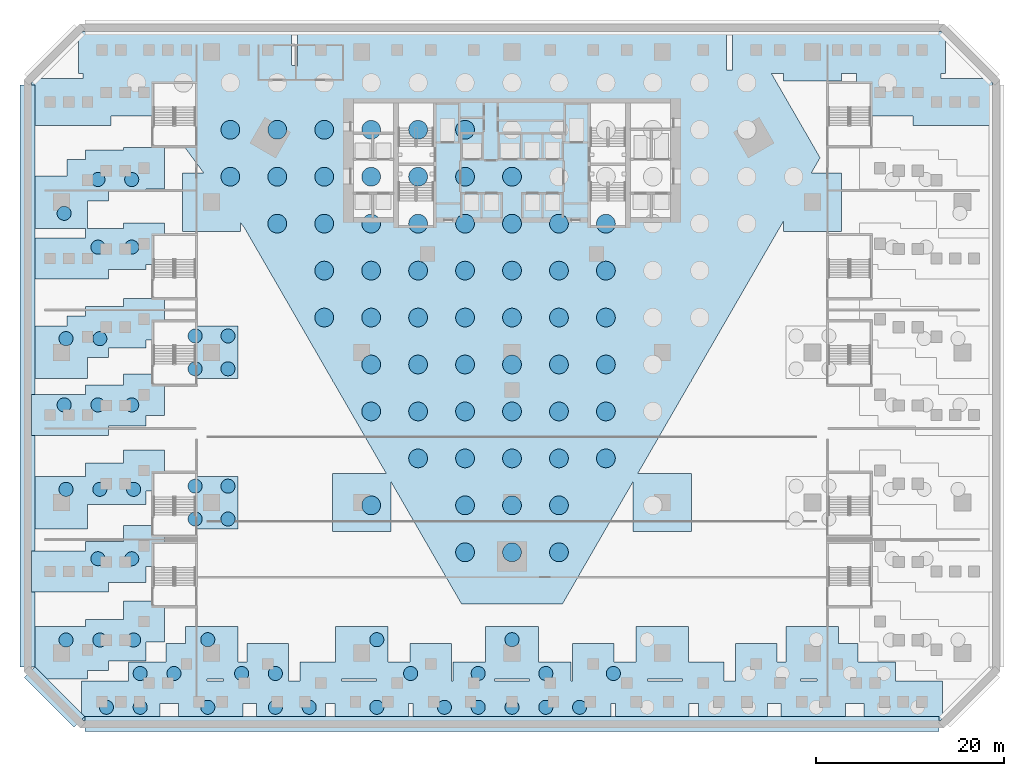
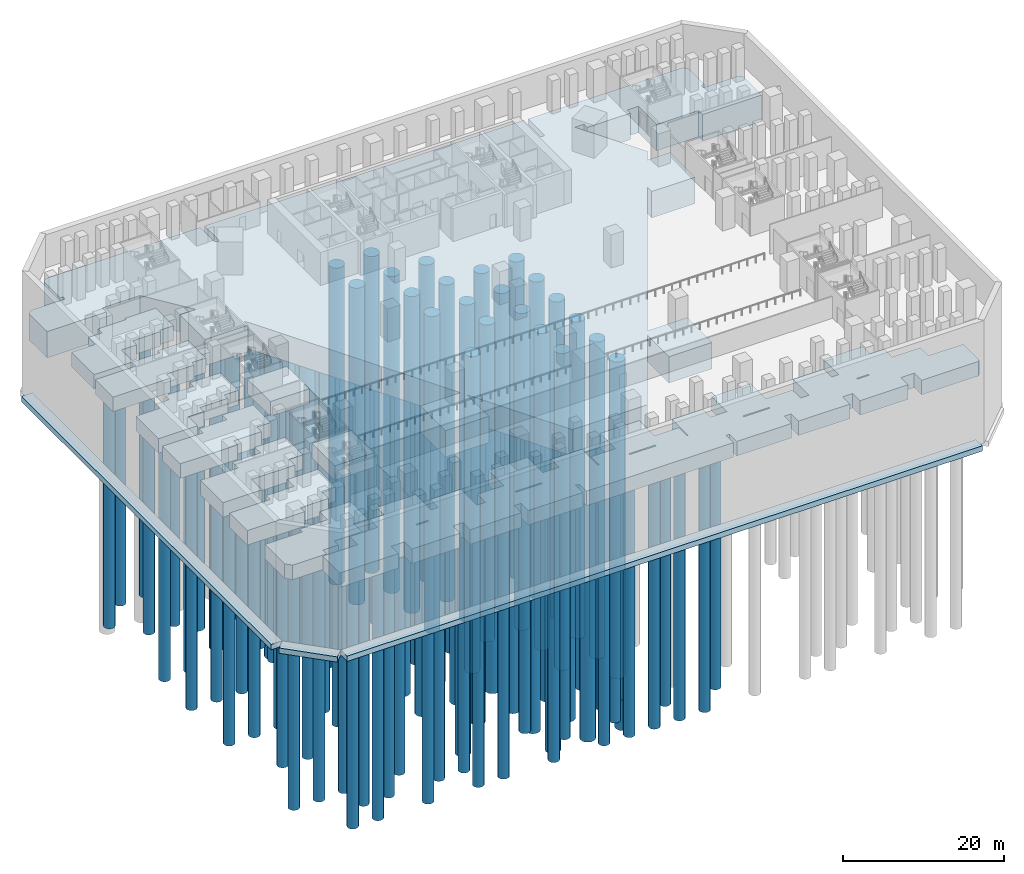
# One storey, part 1 of 27: 107 piles, 13 footings.
"""IFC4 building model written with IfcOpenShell, lengths in metres."""

from ifc_helpers import new_model, si_unit, direction, frame, frame_2d, origin, origin_2d, place, context, subcontext, project, spatial, polyline, rectangle, circle, outline, extrude, material, layer, layer_set, material_profile, profile_set, type_object, element, save


model = new_model("IFC4")

# Units and contexts
model_context = context("Model", 3, precision=1e-05, world=origin(), true_north=direction((0.0, 1.0)))
body_context = subcontext(model_context, "Body", "Model", "MODEL_VIEW")
ifc_project = project(units=[si_unit("LENGTHUNIT", "METRE"), si_unit("AREAUNIT", "SQUARE_METRE"), si_unit("VOLUMEUNIT", "CUBIC_METRE"), si_unit("PLANEANGLEUNIT", "RADIAN"), si_unit("MASSUNIT", "GRAM", prefix="KILO")], contexts=[model_context])

# Site, building, storey
site_placement = place(None, origin())
site = spatial("IfcSite", under=ifc_project, at=site_placement, CompositionType="ELEMENT")
building_placement = place(site_placement, origin())
building = spatial("IfcBuilding", under=site, at=building_placement, Name="Calabash Gate Tower", CompositionType="ELEMENT")
storey_placement = place(building_placement, frame((0.0, 0.0, -10.0)))
storey = spatial("IfcBuildingStorey", under=building, at=storey_placement, Name="B2", CompositionType="ELEMENT", Elevation=-10.0)

# Piles
ifc_material_1 = material(Name="Concrete C40/50", Category="concrete")
ifc_material_profile_1 = material_profile(ifc_material_1, circle(Radius=0.75, at=origin_2d()))
ifc_profile_set_1 = profile_set([ifc_material_profile_1], Name="Concrete C40/50")
pile_type_1 = type_object("IfcPileType", Name="Bored pile 1500 Concrete C40/50", PredefinedType="BORED", material=ifc_profile_set_1)
for number, where, z_axis, x_axis, name in (
    (1, (-44.10009765625, -29.9775390625, -3.64990234375), (0.0, 0.0, -1.0), (1.0, 0.0, 0.0), "Pile E09-6-1"),
    (2, (-40.5, -29.9775390625, -3.64990234375), (0.0, 0.0, -1.0), (1.0, 0.0, 0.0), "Pile E09-6-2"),
    (3, (-47.699951171875, -13.595458984375, -3.64990234375), (0.0, 0.0, -1.0), (1.0, 0.0, 0.0), "Pile E11-6-1"),
    (4, (-44.10009765625, -13.595458984375, -3.64990234375), (0.0, 0.0, -1.0), (1.0, 0.0, 0.0), "Pile E11-6-2"),
    (5, (-40.5, -13.595458984375, -3.64990234375), (0.0, 0.0, -1.0), (1.0, 0.0, 0.0), "Pile E11-6-3"),
    (6, (-47.699951171875, 6.810546875, -3.64990234375), (0.0, 0.0, -1.0), (1.0, 0.0, 0.0), "Pile E117-11-1"),
    (7, (-44.10009765625, 3.210693359375, -3.64990234375), (0.0, 0.0, -1.0), (1.0, 0.0, 0.0), "Pile E117-11-2"),
    (8, (-44.10009765625, 10.41064453125, -3.64990234375), (0.0, 0.0, -1.0), (1.0, 0.0, 0.0), "Pile E117-11-3"),
    (9, (-40.5, 3.210693359375, -3.64990234375), (0.0, 0.0, -1.0), (1.0, 0.0, 0.0), "Pile E117-11-4"),
    (10, (-40.5, 10.41064453125, -3.64990234375), (0.0, 0.0, -1.0), (1.0, 0.0, 0.0), "Pile E117-11-5"),
    (11, (-47.5, -38.63427734375, -3.64990234375), (0.0, 0.0, -1.0), (1.0, 0.0, 0.0), "Pile E02-5-1"),
    (12, (-43.89990234375, -38.63427734375, -3.64990234375), (0.0, 0.0, -1.0), (1.0, 0.0, 0.0), "Pile E02-5-2"),
    (13, (-40.300048828125, -38.63427734375, -3.64990234375), (0.0, 0.0, -1.0), (1.0, 0.0, 0.0), "Pile E02-5-3"),
    (14, (-47.5, -22.586181640625, -3.64990234375), (0.0, 0.0, -1.0), (1.0, 0.0, 0.0), "Pile E10-4-1"),
    (15, (-43.89990234375, -22.586181640625, -3.64990234375), (0.0, 0.0, -1.0), (1.0, 0.0, 0.0), "Pile E10-4-2"),
    (16, (-40.300048828125, -22.586181640625, -3.64990234375), (0.0, 0.0, -1.0), (1.0, 0.0, 0.0), "Pile E10-4-3"),
    (17, (-47.5, -6.5380859375, -3.64990234375), (0.0, 0.0, -1.0), (1.0, 0.0, 0.0), "Pile E12-5-1"),
    (18, (-43.89990234375, -6.5380859375, -3.64990234375), (0.0, 0.0, -1.0), (1.0, 0.0, 0.0), "Pile E12-5-2"),
    (19, (-43.199951171875, -45.800048828125, -3.64990234375), (0.0, 0.0, -1.0), (1.0, 0.0, 0.0), "Pile E01-46-1"),
    (20, (-39.60009765625, -45.800048828125, -3.64990234375), (0.0, 0.0, -1.0), (1.0, 0.0, 0.0), "Pile E01-46-2"),
    (21, (-39.60009765625, -42.199951171875, -3.64990234375), (0.0, 0.0, -1.0), (1.0, 0.0, 0.0), "Pile E01-46-3"),
    (22, (-36.0, -42.199951171875, -3.64990234375), (0.0, 0.0, -1.0), (1.0, 0.0, 0.0), "Pile E01-46-4"),
    (23, (-32.39990234375, -45.800048828125, -3.64990234375), (0.0, 0.0, -1.0), (1.0, 0.0, 0.0), "Pile E01-46-5"),
    (24, (-32.39990234375, -38.60009765625, -3.64990234375), (0.0, 0.0, -1.0), (1.0, 0.0, 0.0), "Pile E01-46-6"),
    (25, (-28.800048828125, -42.199951171875, -3.64990234375), (0.0, 0.0, -1.0), (1.0, 0.0, 0.0), "Pile E01-46-7"),
    (26, (-25.199951171875, -45.800048828125, -3.64990234375), (0.0, 0.0, -1.0), (1.0, 0.0, 0.0), "Pile E01-46-8"),
    (27, (-25.199951171875, -42.199951171875, -3.64990234375), (0.0, 0.0, -1.0), (1.0, 0.0, 0.0), "Pile E01-46-9"),
    (28, (-21.60009765625, -45.800048828125, -3.64990234375), (0.0, 0.0, -1.0), (1.0, 0.0, 0.0), "Pile E01-46-10"),
    (29, (-14.39990234375, -45.800048828125, -3.64990234375), (0.0, 0.0, -1.0), (1.0, 0.0, 0.0), "Pile E01-46-11"),
    (30, (-14.39990234375, -38.60009765625, -3.64990234375), (0.0, 0.0, -1.0), (1.0, 0.0, 0.0), "Pile E01-46-12"),
    (31, (-10.800048828125, -42.199951171875, -3.64990234375), (0.0, 0.0, -1.0), (1.0, 0.0, 0.0), "Pile E01-46-13"),
    (32, (-7.199951171875, -45.800048828125, -3.64990234375), (0.0, 0.0, -1.0), (1.0, 0.0, 0.0), "Pile E01-46-14"),
    (33, (-3.60009765625, -45.800048828125, -3.64990234375), (0.0, 0.0, -1.0), (1.0, 0.0, 0.0), "Pile E01-46-15"),
    (34, (-3.60009765625, -42.199951171875, -3.64990234375), (0.0, 0.0, -1.0), (1.0, 0.0, 0.0), "Pile E01-46-16"),
    (35, (0.0, -45.800048828125, -3.64990234375), (0.0, 0.0, -1.0), (1.0, 0.0, 0.0), "Pile E01-46-17"),
    (36, (0.0, -38.60009765625, -3.64990234375), (0.0, 0.0, -1.0), (1.0, 0.0, 0.0), "Pile E01-46-18"),
    (37, (3.60009765625, -45.800048828125, -3.64990234375), (0.0, 0.0, -1.0), (1.0, 0.0, 0.0), "Pile E01-46-19"),
    (38, (3.60009765625, -42.199951171875, -3.64990234375), (0.0, 0.0, -1.0), (1.0, 0.0, 0.0), "Pile E01-46-20"),
    (39, (7.199951171875, -45.800048828125, -3.64990234375), (0.0, 0.0, -1.0), (1.0, 0.0, 0.0), "Pile E01-46-21"),
    (40, (10.800048828125, -42.199951171875, -3.64990234375), (0.0, 0.0, -1.0), (1.0, 0.0, 0.0), "Pile E01-46-22"),
    (41, (-33.75, -25.75, -3.64990234375), (0.0, 0.0, -1.0), (1.0, 0.0, 0.0), "Pile G2B-1"),
    (42, (-33.75, -22.25, -3.64990234375), (0.0, 0.0, -1.0), (1.0, 0.0, 0.0), "Pile G2B-2"),
    (43, (-30.25, -25.75, -3.64990234375), (0.0, 0.0, -1.0), (1.0, 0.0, 0.0), "Pile G2B-3"),
    (44, (-30.25, -22.25, -3.64990234375), (0.0, 0.0, -1.0), (1.0, 0.0, 0.0), "Pile G2B-4"),
    (45, (-33.75, -9.75, -3.64990234375), (0.0, 0.0, -1.0), (1.0, 0.0, 0.0), "Pile G2C-1"),
    (46, (-33.75, -6.25, -3.64990234375), (0.0, 0.0, -1.0), (1.0, 0.0, 0.0), "Pile G2C-2"),
    (47, (-30.25, -9.75, -3.64990234375), (0.0, 0.0, -1.0), (1.0, 0.0, 0.0), "Pile G2C-3"),
    (48, (-30.25, -6.25, -3.64990234375), (0.0, 0.0, -1.0), (1.0, 0.0, 0.0), "Pile G2C-4"),
):
    element("IfcPile", number, at=place(storey_placement, frame(where, z_axis=z_axis, x_axis=x_axis)), inside=storey, type_object=pile_type_1, Name=name, PredefinedType="BORED", context=body_context, shape_type="SweptSolid", body=[
        extrude(circle(Radius=0.75, at=origin_2d()), origin(), (0.0, 0.0, 1.0), 38.0),
    ])
ifc_material_2 = material(Name="Concrete C40/50", Category="concrete")
ifc_material_profile_2 = material_profile(ifc_material_2, circle(Radius=1.0, at=origin_2d()))
ifc_profile_set_2 = profile_set([ifc_material_profile_2], Name="Concrete C40/50")
pile_type_2 = type_object("IfcPileType", Name="Bored pile 2000 Concrete C40/50", PredefinedType="BORED", material=ifc_profile_set_2)
for number, where, z_axis, x_axis, name in (
    (49, (-30.0, 10.70849609375, -5.449951171875), (0.0, 0.0, -1.0), (1.0, 0.0, 0.0), "Raft pile 3"),
    (50, (-30.0, 15.70849609375, -5.449951171875), (0.0, 0.0, -1.0), (1.0, 0.0, 0.0), "Raft pile 4"),
    (51, (-25.0, 5.70849609375, -5.449951171875), (0.0, 0.0, -1.0), (1.0, 0.0, 0.0), "Raft pile 6"),
    (52, (-25.0, 10.70849609375, -5.449951171875), (0.0, 0.0, -1.0), (1.0, 0.0, 0.0), "Raft pile 7"),
    (53, (-25.0, 15.70849609375, -5.449951171875), (0.0, 0.0, -1.0), (1.0, 0.0, 0.0), "Raft pile 8"),
    (54, (-20.0, -4.29150390625, -5.449951171875), (0.0, 0.0, -1.0), (1.0, 0.0, 0.0), "Raft pile 10"),
    (55, (-20.0, 0.70849609375, -5.449951171875), (0.0, 0.0, -1.0), (1.0, 0.0, 0.0), "Raft pile 11"),
    (56, (-20.0, 5.70849609375, -5.449951171875), (0.0, 0.0, -1.0), (1.0, 0.0, 0.0), "Raft pile 12"),
    (57, (-20.0, 10.70849609375, -5.449951171875), (0.0, 0.0, -1.0), (1.0, 0.0, 0.0), "Raft pile 13"),
    (58, (-20.0, 15.70849609375, -5.449951171875), (0.0, 0.0, -1.0), (1.0, 0.0, 0.0), "Raft pile 14"),
    (59, (-15.0, -24.29150390625, -5.449951171875), (0.0, 0.0, -1.0), (1.0, 0.0, 0.0), "Raft pile 16"),
    (60, (-15.0, -14.29150390625, -5.449951171875), (0.0, 0.0, -1.0), (1.0, 0.0, 0.0), "Raft pile 17"),
    (61, (-15.0, -9.29150390625, -5.449951171875), (0.0, 0.0, -1.0), (1.0, 0.0, 0.0), "Raft pile 18"),
    (62, (-15.0, -4.29150390625, -5.449951171875), (0.0, 0.0, -1.0), (1.0, 0.0, 0.0), "Raft pile 19"),
    (63, (-15.0, 0.70849609375, -5.449951171875), (0.0, 0.0, -1.0), (1.0, 0.0, 0.0), "Raft pile 20"),
    (64, (-15.0, 5.70849609375, -5.449951171875), (0.0, 0.0, -1.0), (1.0, 0.0, 0.0), "Raft pile 21"),
    (65, (-15.0, 10.70849609375, -5.449951171875), (0.0, 0.0, -1.0), (1.0, 0.0, 0.0), "Raft pile 22"),
    (66, (-15.0, 15.70849609375, -5.449951171875), (0.0, 0.0, -1.0), (1.0, 0.0, 0.0), "Raft pile 23"),
    (67, (-10.0, -19.29150390625, -5.449951171875), (0.0, 0.0, -1.0), (1.0, 0.0, 0.0), "Raft pile 25"),
    (68, (-10.0, -14.29150390625, -5.449951171875), (0.0, 0.0, -1.0), (1.0, 0.0, 0.0), "Raft pile 26"),
    (69, (-10.0, -9.29150390625, -5.449951171875), (0.0, 0.0, -1.0), (1.0, 0.0, 0.0), "Raft pile 27"),
    (70, (-10.0, -4.29150390625, -5.449951171875), (0.0, 0.0, -1.0), (1.0, 0.0, 0.0), "Raft pile 28"),
    (71, (-10.0, 0.70849609375, -5.449951171875), (0.0, 0.0, -1.0), (1.0, 0.0, 0.0), "Raft pile 29"),
    (72, (-10.0, 5.70849609375, -5.449951171875), (0.0, 0.0, -1.0), (1.0, 0.0, 0.0), "Raft pile 30"),
    (73, (-10.0, 10.70849609375, -5.449951171875), (0.0, 0.0, -1.0), (1.0, 0.0, 0.0), "Raft pile 31"),
    (74, (-10.0, 15.70849609375, -5.449951171875), (0.0, 0.0, -1.0), (1.0, 0.0, 0.0), "Raft pile 32"),
    (75, (-5.0, -29.29150390625, -5.449951171875), (0.0, 0.0, -1.0), (1.0, 0.0, 0.0), "Raft pile 34"),
    (76, (-5.0, -24.29150390625, -5.449951171875), (0.0, 0.0, -1.0), (1.0, 0.0, 0.0), "Raft pile 35"),
    (77, (-5.0, -19.29150390625, -5.449951171875), (0.0, 0.0, -1.0), (1.0, 0.0, 0.0), "Raft pile 36"),
    (78, (-5.0, -14.29150390625, -5.449951171875), (0.0, 0.0, -1.0), (1.0, 0.0, 0.0), "Raft pile 37"),
    (79, (-5.0, -9.29150390625, -5.449951171875), (0.0, 0.0, -1.0), (1.0, 0.0, 0.0), "Raft pile 38"),
    (80, (-5.0, -4.29150390625, -5.449951171875), (0.0, 0.0, -1.0), (1.0, 0.0, 0.0), "Raft pile 39"),
    (81, (-5.0, 0.70849609375, -5.449951171875), (0.0, 0.0, -1.0), (1.0, 0.0, 0.0), "Raft pile 40"),
    (82, (-5.0, 5.70849609375, -5.449951171875), (0.0, 0.0, -1.0), (1.0, 0.0, 0.0), "Raft pile 41"),
    (83, (-5.0, 10.70849609375, -5.449951171875), (0.0, 0.0, -1.0), (1.0, 0.0, 0.0), "Raft pile 42"),
    (84, (-5.0, 15.70849609375, -5.449951171875), (0.0, 0.0, -1.0), (1.0, 0.0, 0.0), "Raft pile 43"),
    (85, (0.0, -29.29150390625, -5.449951171875), (0.0, 0.0, -1.0), (1.0, 0.0, 0.0), "Raft pile 45"),
    (86, (0.0, -24.29150390625, -5.449951171875), (0.0, 0.0, -1.0), (1.0, 0.0, 0.0), "Raft pile 46"),
    (87, (0.0, -19.29150390625, -5.449951171875), (0.0, 0.0, -1.0), (1.0, 0.0, 0.0), "Raft pile 47"),
    (88, (0.0, -14.29150390625, -5.449951171875), (0.0, 0.0, -1.0), (1.0, 0.0, 0.0), "Raft pile 48"),
    (89, (0.0, -9.29150390625, -5.449951171875), (0.0, 0.0, -1.0), (1.0, 0.0, 0.0), "Raft pile 49"),
    (90, (0.0, -4.29150390625, -5.449951171875), (0.0, 0.0, -1.0), (1.0, 0.0, 0.0), "Raft pile 50"),
    (91, (0.0, 0.70849609375, -5.449951171875), (0.0, 0.0, -1.0), (1.0, 0.0, 0.0), "Raft pile 51"),
    (92, (0.0, 5.70849609375, -5.449951171875), (0.0, 0.0, -1.0), (1.0, 0.0, 0.0), "Raft pile 52"),
    (93, (0.0, 10.70849609375, -5.449951171875), (0.0, 0.0, -1.0), (1.0, 0.0, 0.0), "Raft pile 53"),
    (94, (5.0, -29.29150390625, -5.449951171875), (0.0, 0.0, -1.0), (1.0, 0.0, 0.0), "Raft pile 56"),
    (95, (5.0, -24.29150390625, -5.449951171875), (0.0, 0.0, -1.0), (1.0, 0.0, 0.0), "Raft pile 57"),
    (96, (5.0, -19.29150390625, -5.449951171875), (0.0, 0.0, -1.0), (1.0, 0.0, 0.0), "Raft pile 58"),
    (97, (5.0, -14.29150390625, -5.449951171875), (0.0, 0.0, -1.0), (1.0, 0.0, 0.0), "Raft pile 59"),
    (98, (5.0, -9.29150390625, -5.449951171875), (0.0, 0.0, -1.0), (1.0, 0.0, 0.0), "Raft pile 60"),
    (99, (5.0, -4.29150390625, -5.449951171875), (0.0, 0.0, -1.0), (1.0, 0.0, 0.0), "Raft pile 61"),
    (100, (5.0, 0.70849609375, -5.449951171875), (0.0, 0.0, -1.0), (1.0, 0.0, 0.0), "Raft pile 62"),
    (101, (5.0, 5.70849609375, -5.449951171875), (0.0, 0.0, -1.0), (1.0, 0.0, 0.0), "Raft pile 63"),
    (102, (10.0, -19.29150390625, -5.449951171875), (0.0, 0.0, -1.0), (1.0, 0.0, 0.0), "Raft pile 67"),
    (103, (10.0, -14.29150390625, -5.449951171875), (0.0, 0.0, -1.0), (1.0, 0.0, 0.0), "Raft pile 68"),
    (104, (10.0, -9.29150390625, -5.449951171875), (0.0, 0.0, -1.0), (1.0, 0.0, 0.0), "Raft pile 69"),
    (105, (10.0, -4.29150390625, -5.449951171875), (0.0, 0.0, -1.0), (1.0, 0.0, 0.0), "Raft pile 70"),
    (106, (10.0, 0.70849609375, -5.449951171875), (0.0, 0.0, -1.0), (1.0, 0.0, 0.0), "Raft pile 71"),
    (107, (10.0, 5.70849609375, -5.449951171875), (0.0, 0.0, -1.0), (1.0, 0.0, 0.0), "Raft pile 72"),
):
    element("IfcPile", number, at=place(storey_placement, frame(where, z_axis=z_axis, x_axis=x_axis)), inside=storey, type_object=pile_type_2, Name=name, PredefinedType="BORED", context=body_context, shape_type="SweptSolid", body=[
        extrude(circle(Radius=1.0, at=origin_2d()), origin(), (0.0, 0.0, 1.0), 48.0),
    ])

# Footings
ifc_material_3 = material(Name="Concrete C50/60", Category="concrete")
ifc_layer_1 = layer(ifc_material_3, 0.800048828125)
ifc_layer_set_1 = layer_set([ifc_layer_1], Name="Diaphragm wall toe footing 800 Concrete C50/60")
footing_type_1 = type_object("IfcFootingType", Name="Diaphragm wall toe footing 800 Concrete C50/60", PredefinedType="STRIP_FOOTING", material=ifc_layer_set_1)
footing_1_placement = place(storey_placement, frame((-51.60009765625, 20.5029296875, -14.39990234375), z_axis=(0.0, 0.0, 1.0), x_axis=(0.0, -1.0, 0.0)))
element("IfcFooting", 108, at=footing_1_placement, inside=storey, type_object=footing_type_1, Name="Diaphragm wall toe footing 6", PredefinedType="STRIP_FOOTING", context=body_context, shape_type="SweptSolid", body=[
    extrude(rectangle(XDim=62.005859375, YDim=1.60009765625, at=frame_2d((31.0029296875, 0.0))), origin(), (0.0, 0.0, 1.0), 0.7998046875),
])
footing_2_placement = place(storey_placement, frame((-51.36572265625, -42.068603515625, -14.39990234375), z_axis=(0.0, 0.0, 1.0), x_axis=(0.707106781187, -0.707106781187, 0.0)))
element("IfcFooting", 109, at=footing_2_placement, inside=storey, type_object=footing_type_1, Name="Diaphragm wall toe footing 7", PredefinedType="STRIP_FOOTING", context=body_context, shape_type="SweptSolid", body=[
    extrude(rectangle(XDim=7.4912109375, YDim=1.60009765625, at=frame_2d((3.74560546875, 0.0))), origin(), (0.0, 0.0, 1.0), 0.7998046875),
])
footing_3_placement = place(storey_placement, frame((-45.5029296875, -47.60009765625, -14.39990234375), z_axis=(0.0, 0.0, 1.0), x_axis=(1.0, 0.0, 0.0)))
element("IfcFooting", 110, at=footing_3_placement, inside=storey, type_object=footing_type_1, Name="Diaphragm wall toe footing 8", PredefinedType="STRIP_FOOTING", context=body_context, shape_type="SweptSolid", body=[
    extrude(rectangle(XDim=91.005859375, YDim=1.60009765625, at=frame_2d((45.5029296875, 0.0))), origin(), (0.0, 0.0, 1.0), 0.7998046875),
])
ifc_material_4 = material(Name="Concrete C50/60", Category="concrete")
ifc_layer_2 = layer(ifc_material_4, 2.199951171875)
ifc_layer_set_2 = layer_set([ifc_layer_2], Name="Pile cap 2200 Concrete C50/60")
footing_type_2 = type_object("IfcFootingType", Name="Pile cap 2200 Concrete C50/60", PredefinedType="PILE_CAP", material=ifc_layer_set_2)
footing_4_placement = place(storey_placement, frame((0.0, 0.0, -3.800048828125)))
element("IfcFooting", 111, at=footing_4_placement, inside=storey, type_object=footing_type_2, Name="Pile cap E09+E115+E136+E37+E73+E91", PredefinedType="PILE_CAP", context=body_context, shape_type="SweptSolid", body=[
    extrude(outline(polyline([(-45.39990234375, -29.134765625), (-45.39990234375, -28.134765625), (-43.39990234375, -28.134765625), (-41.39990234375, -28.134765625), (-41.39990234375, -26.42041015625), (-37.0, -26.42041015625), (-37.0, -30.8203125), (-39.0, -30.8203125), (-39.0, -32.53466796875), (-41.0, -32.53466796875), (-43.0, -32.53466796875), (-43.0, -33.53466796875), (-45.0, -33.53466796875), (-47.0, -33.53466796875), (-47.39990234375, -33.53466796875), (-49.39990234375, -33.53466796875), (-51.199951171875, -33.53466796875), (-51.199951171875, -29.134765625), (-49.39990234375, -29.134765625), (-47.39990234375, -29.134765625), (-47.0, -29.134765625), (-45.39990234375, -29.134765625)])), origin(), (0.0, 0.0, 1.0), 2.199951171875),
])
footing_5_placement = place(storey_placement, frame((0.0, 0.0, -3.800048828125)))
element("IfcFooting", 112, at=footing_5_placement, inside=storey, type_object=footing_type_2, Name="Pile cap E11+E116+E137+E39+E75+E92", PredefinedType="PILE_CAP", context=body_context, shape_type="SweptSolid", body=[
    extrude(outline(polyline([(-45.39990234375, -11.466796875), (-43.39990234375, -11.466796875), (-41.39990234375, -11.466796875), (-41.39990234375, -10.32421875), (-37.0, -10.32421875), (-37.0, -14.72412109375), (-39.0, -14.72412109375), (-39.0, -15.866943359375), (-41.0, -15.866943359375), (-43.0, -15.866943359375), (-43.0, -16.866943359375), (-45.0, -16.866943359375), (-47.0, -16.866943359375), (-47.39990234375, -16.866943359375), (-49.39990234375, -16.866943359375), (-51.199951171875, -16.866943359375), (-51.199951171875, -12.466796875), (-49.39990234375, -12.466796875), (-47.39990234375, -12.466796875), (-47.0, -12.466796875), (-45.39990234375, -12.466796875), (-45.39990234375, -11.466796875)])), origin(), (0.0, 0.0, 1.0), 2.199951171875),
])
footing_6_placement = place(storey_placement, frame((0.0, 0.0, -3.800048828125)))
element("IfcFooting", 113, at=footing_6_placement, inside=storey, type_object=footing_type_2, Name="Pile cap E117+E13+E138+E14+E41+E42+E77+E78+E94+E95+G1D", PredefinedType="PILE_CAP", context=body_context, shape_type="SweptSolid", body=[
    extrude(outline(polyline([(-45.39990234375, 4.20068359375), (-45.39990234375, 5.199951171875), (-50.800048828125, 5.199951171875), (-50.800048828125, 10.800048828125), (-47.39990234375, 10.800048828125), (-47.39990234375, 12.53466796875), (-45.39990234375, 12.53466796875), (-45.39990234375, 13.53466796875), (-43.39990234375, 13.53466796875), (-41.39990234375, 13.53466796875), (-41.39990234375, 13.8203125), (-37.0, 13.8203125), (-37.0, 9.42041015625), (-39.0, 9.42041015625), (-39.0, 9.134765625), (-41.0, 9.134765625), (-43.0, 9.134765625), (-43.0, 8.134765625), (-45.199951171875, 8.134765625), (-45.199951171875, 5.20068359375), (-43.39990234375, 5.20068359375), (-41.39990234375, 5.20068359375), (-41.39990234375, 5.772216796875), (-37.0, 5.772216796875), (-37.0, 1.372314453125), (-39.0, 1.372314453125), (-39.0, 0.80078125), (-41.0, 0.80078125), (-43.0, 0.80078125), (-43.0, -0.19921875), (-45.0, -0.19921875), (-47.0, -0.19921875), (-47.39990234375, -0.19921875), (-49.39990234375, -0.19921875), (-51.199951171875, -0.19921875), (-51.199951171875, 4.20068359375), (-49.39990234375, 4.20068359375), (-47.39990234375, 4.20068359375), (-47.0, 4.20068359375), (-45.39990234375, 4.20068359375)])), origin(), (0.0, 0.0, 1.0), 2.199951171875),
])
footing_7_placement = place(storey_placement, frame((0.0, 0.0, -3.800048828125)))
element("IfcFooting", 114, at=footing_7_placement, inside=storey, type_object=footing_type_2, Name="Pile cap E02+E30+E66+E86+G1A", PredefinedType="PILE_CAP", context=body_context, shape_type="SweptSolid", body=[
    extrude(outline(polyline([(-45.39990234375, -36.468505859375), (-43.39990234375, -36.468505859375), (-41.39990234375, -36.468505859375), (-41.39990234375, -34.468505859375), (-37.0, -34.468505859375), (-37.0, -38.86865234375), (-39.0, -38.86865234375), (-39.0, -40.86865234375), (-41.0, -40.86865234375), (-43.0, -40.86865234375), (-43.0, -41.86865234375), (-45.199951171875, -41.86865234375), (-45.199951171875, -42.800048828125), (-50.068603515625, -42.800048828125), (-50.800048828125, -42.068603515625), (-50.800048828125, -37.199951171875), (-45.39990234375, -37.199951171875), (-45.39990234375, -36.468505859375)])), origin(), (0.0, 0.0, 1.0), 2.199951171875),
])
footing_8_placement = place(storey_placement, frame((0.0, 0.0, -3.800048828125)))
element("IfcFooting", 115, at=footing_8_placement, inside=storey, type_object=footing_type_2, Name="Pile cap E10+E38+E74+G1B", PredefinedType="PILE_CAP", context=body_context, shape_type="SweptSolid", body=[
    extrude(outline(polyline([(-45.39990234375, -19.80078125), (-43.39990234375, -19.80078125), (-41.39990234375, -19.80078125), (-41.39990234375, -18.372314453125), (-37.0, -18.372314453125), (-37.0, -22.772216796875), (-39.0, -22.772216796875), (-39.0, -24.20068359375), (-41.0, -24.20068359375), (-43.39990234375, -24.20068359375), (-45.199951171875, -24.20068359375), (-45.199951171875, -26.800048828125), (-50.800048828125, -26.800048828125), (-50.800048828125, -21.199951171875), (-45.39990234375, -21.199951171875), (-45.39990234375, -19.80078125)])), origin(), (0.0, 0.0, 1.0), 2.199951171875),
])
footing_9_placement = place(storey_placement, frame((0.0, 0.0, -3.800048828125)))
element("IfcFooting", 116, at=footing_9_placement, inside=storey, type_object=footing_type_2, Name="Pile cap E12+E40+E76+E93+G1C", PredefinedType="PILE_CAP", context=body_context, shape_type="SweptSolid", body=[
    extrude(outline(polyline([(-47.39990234375, -4.133056640625), (-45.39990234375, -4.133056640625), (-45.39990234375, -3.133056640625), (-43.39990234375, -3.133056640625), (-41.39990234375, -3.133056640625), (-41.39990234375, -2.27587890625), (-37.0, -2.27587890625), (-37.0, -6.67578125), (-39.0, -6.67578125), (-39.0, -7.533203125), (-41.0, -7.533203125), (-43.0, -7.533203125), (-43.0, -8.533203125), (-45.199951171875, -8.533203125), (-45.199951171875, -10.800048828125), (-50.800048828125, -10.800048828125), (-50.800048828125, -5.199951171875), (-47.39990234375, -5.199951171875), (-47.39990234375, -4.133056640625)])), origin(), (0.0, 0.0, 1.0), 2.199951171875),
])
footing_10_placement = place(storey_placement, frame((0.0, 0.0, -3.800048828125)))
element("IfcFooting", 117, at=footing_10_placement, inside=storey, type_object=footing_type_2, Name="Pile cap E01+E08+E101+E102+E103+E104+E105+E106+E107+E108+E109+E114+E121+E122+E123+E124+E125+E126+E127+E128+E129+E130+E135+E25+E26+E27+E28+E29+E36+E57+E58+E59+E60+E61+E62+E63+E64+E65+E72+E85+E90+G2A+G3A+G4A+G5A+G6A", PredefinedType="PILE_CAP", context=body_context, shape_type="SweptSolid", body=[
    extrude(outline(polyline([(-43.86865234375, -47.199951171875), (-45.668701171875, -47.199951171875), (-45.86865234375, -47.0), (-45.86865234375, -43.0), (-43.86865234375, -43.0), (-41.86865234375, -43.0), (-41.468505859375, -43.0), (-40.86865234375, -43.0), (-40.86865234375, -41.0), (-38.86865234375, -41.0), (-36.86865234375, -41.0), (-36.86865234375, -39.0), (-34.800048828125, -39.0), (-34.800048828125, -37.199951171875), (-29.199951171875, -37.199951171875), (-29.199951171875, -41.0), (-28.201416015625, -41.0), (-28.201416015625, -39.0), (-23.801513671875, -39.0), (-23.801513671875, -43.0), (-22.80126953125, -43.0), (-22.571533203125, -43.0), (-22.571533203125, -41.0), (-18.800048828125, -41.0), (-18.800048828125, -37.199951171875), (-13.199951171875, -37.199951171875), (-13.199951171875, -41.0), (-10.8671875, -41.0), (-10.8671875, -39.0), (-6.46728515625, -39.0), (-6.46728515625, -43.0), (-6.2744140625, -43.0), (-6.2744140625, -41.0), (-2.800048828125, -41.0), (-2.800048828125, -37.199951171875), (2.800048828125, -37.199951171875), (2.800048828125, -41.0), (6.2744140625, -41.0), (6.2744140625, -43.0), (6.46728515625, -43.0), (6.46728515625, -39.0), (10.8671875, -39.0), (10.8671875, -41.0), (13.199951171875, -41.0), (13.199951171875, -37.199951171875), (18.800048828125, -37.199951171875), (18.800048828125, -41.0), (22.571533203125, -41.0), (22.571533203125, -43.0), (22.80126953125, -43.0), (23.801513671875, -43.0), (23.801513671875, -39.0), (28.201416015625, -39.0), (28.201416015625, -41.0), (29.199951171875, -41.0), (29.199951171875, -37.199951171875), (34.800048828125, -37.199951171875), (34.800048828125, -39.0), (36.86865234375, -39.0), (36.86865234375, -41.0), (38.86865234375, -41.0), (40.86865234375, -41.0), (40.86865234375, -43.0), (41.468505859375, -43.0), (41.86865234375, -43.0), (43.86865234375, -43.0), (45.86865234375, -43.0), (45.86865234375, -47.0), (45.668701171875, -47.199951171875), (43.86865234375, -47.199951171875), (41.86865234375, -47.199951171875), (41.468505859375, -47.199951171875), (39.468505859375, -47.199951171875), (37.468505859375, -47.199951171875), (37.468505859375, -45.39990234375), (36.468505859375, -45.39990234375), (35.534912109375, -45.39990234375), (35.534912109375, -47.199951171875), (33.053466796875, -47.199951171875), (31.135009765625, -47.199951171875), (28.6533203125, -47.199951171875), (28.6533203125, -45.39990234375), (27.201171875, -45.39990234375), (27.201171875, -47.199951171875), (24.238037109375, -47.199951171875), (22.80126953125, -47.199951171875), (19.838134765625, -47.199951171875), (19.838134765625, -45.39990234375), (18.867431640625, -45.39990234375), (18.867431640625, -47.199951171875), (15.4228515625, -47.199951171875), (14.467529296875, -47.199951171875), (11.02294921875, -47.199951171875), (11.02294921875, -45.39990234375), (10.53369140625, -45.39990234375), (10.53369140625, -47.199951171875), (6.607666015625, -47.199951171875), (6.1337890625, -47.199951171875), (2.20751953125, -47.199951171875), (2.20751953125, -45.39990234375), (2.199951171875, -45.39990234375), (2.199951171875, -47.199951171875), (-2.199951171875, -47.199951171875), (-2.199951171875, -45.39990234375), (-2.20751953125, -45.39990234375), (-2.20751953125, -47.199951171875), (-6.1337890625, -47.199951171875), (-6.607666015625, -47.199951171875), (-10.53369140625, -47.199951171875), (-10.53369140625, -45.39990234375), (-11.02294921875, -45.39990234375), (-11.02294921875, -47.199951171875), (-14.467529296875, -47.199951171875), (-15.4228515625, -47.199951171875), (-18.867431640625, -47.199951171875), (-18.867431640625, -45.39990234375), (-19.838134765625, -45.39990234375), (-19.838134765625, -47.199951171875), (-22.80126953125, -47.199951171875), (-24.238037109375, -47.199951171875), (-27.201171875, -47.199951171875), (-27.201171875, -45.39990234375), (-28.6533203125, -45.39990234375), (-28.6533203125, -47.199951171875), (-31.135009765625, -47.199951171875), (-33.053466796875, -47.199951171875), (-35.534912109375, -47.199951171875), (-35.534912109375, -45.39990234375), (-36.468505859375, -45.39990234375), (-37.468505859375, -45.39990234375), (-37.468505859375, -47.199951171875), (-39.468505859375, -47.199951171875), (-41.468505859375, -47.199951171875), (-41.86865234375, -47.199951171875), (-43.86865234375, -47.199951171875)]), holes=[polyline([(32.468505859375, -43.0), (32.468505859375, -42.800048828125), (30.719970703125, -42.800048828125), (30.719970703125, -43.0), (31.135009765625, -43.0), (32.468505859375, -43.0)]), polyline([(15.4228515625, -43.0), (18.17138671875, -43.0), (18.17138671875, -42.800048828125), (14.4228515625, -42.800048828125), (14.4228515625, -43.0), (14.467529296875, -43.0), (15.4228515625, -43.0)]), polyline([(-1.874267578125, -42.800048828125), (-1.874267578125, -43.0), (1.874267578125, -43.0), (1.874267578125, -42.800048828125), (-1.874267578125, -42.800048828125)]), polyline([(-14.467529296875, -43.0), (-14.4228515625, -43.0), (-14.4228515625, -42.800048828125), (-18.17138671875, -42.800048828125), (-18.17138671875, -43.0), (-15.4228515625, -43.0), (-14.467529296875, -43.0)]), polyline([(-30.719970703125, -42.800048828125), (-32.468505859375, -42.800048828125), (-32.468505859375, -43.0), (-31.135009765625, -43.0), (-30.719970703125, -43.0), (-30.719970703125, -42.800048828125)])]), origin(), (0.0, 0.0, 1.0), 2.199951171875),
])
footing_11_placement = place(storey_placement, frame((0.0, 0.0, -3.800048828125)))
element("IfcFooting", 118, at=footing_11_placement, inside=storey, type_object=footing_type_2, Name="Pile cap G2B", PredefinedType="PILE_CAP", context=body_context, shape_type="SweptSolid", body=[
    extrude(outline(polyline([(-29.199951171875, -26.800048828125), (-34.800048828125, -26.800048828125), (-34.800048828125, -21.199951171875), (-29.199951171875, -21.199951171875), (-29.199951171875, -26.800048828125)])), origin(), (0.0, 0.0, 1.0), 2.199951171875),
])
footing_12_placement = place(storey_placement, frame((0.0, 0.0, -3.800048828125)))
element("IfcFooting", 119, at=footing_12_placement, inside=storey, type_object=footing_type_2, Name="Pile cap G2C", PredefinedType="PILE_CAP", context=body_context, shape_type="SweptSolid", body=[
    extrude(outline(polyline([(-29.199951171875, -10.800048828125), (-34.800048828125, -10.800048828125), (-34.800048828125, -5.199951171875), (-29.199951171875, -5.199951171875), (-29.199951171875, -10.800048828125)])), origin(), (0.0, 0.0, 1.0), 2.199951171875),
])
ifc_material_5 = material(Name="Concrete C50/60", Category="concrete")
ifc_layer_3 = layer(ifc_material_5, 4.0)
ifc_layer_set_3 = layer_set([ifc_layer_3], Name="Piled raft 4000 Concrete C50/60")
footing_type_3 = type_object("IfcFootingType", Name="Piled raft 4000 Concrete C50/60", PredefinedType="PILE_CAP", material=ifc_layer_set_3)
footing_13_placement = place(storey_placement, frame((0.0, 0.0, -5.60009765625)))
element("IfcFooting", 120, at=footing_13_placement, inside=storey, type_object=footing_type_3, Name="Tower and core piled raft", PredefinedType="PILE_CAP", context=body_context, shape_type="SweptSolid", body=[
    extrude(outline(polyline([(-46.699951171875, 21.168701171875), (-45.699951171875, 21.168701171875), (-45.699951171875, 21.699951171875), (-46.168701171875, 21.699951171875), (-46.168701171875, 25.699951171875), (-45.668701171875, 26.199951171875), (-23.50146484375, 26.199951171875), (-23.50146484375, 22.587646484375), (-22.87158203125, 22.515625), (-22.87158203125, 26.199951171875), (22.87158203125, 26.199951171875), (22.87158203125, 22.052490234375), (23.50146484375, 22.052490234375), (23.50146484375, 26.199951171875), (45.668701171875, 26.199951171875), (46.168701171875, 25.699951171875), (46.168701171875, 21.699951171875), (45.699951171875, 21.699951171875), (45.699951171875, 21.168701171875), (46.699951171875, 21.168701171875), (47.699951171875, 21.168701171875), (49.699951171875, 21.168701171875), (50.699951171875, 21.168701171875), (51.199951171875, 20.668701171875), (51.199951171875, 16.168701171875), (49.699951171875, 16.168701171875), (47.699951171875, 16.168701171875), (46.699951171875, 16.168701171875), (44.699951171875, 16.168701171875), (42.699951171875, 16.168701171875), (42.699951171875, 17.168701171875), (41.699951171875, 17.168701171875), (40.699951171875, 17.168701171875), (38.699951171875, 17.168701171875), (36.699951171875, 17.168701171875), (36.699951171875, 21.699951171875), (36.168701171875, 21.699951171875), (35.10009765625, 21.699951171875), (35.10009765625, 20.89990234375), (28.89990234375, 20.89990234375), (28.89990234375, 21.699951171875), (28.50146484375, 21.699951171875), (27.635498046875, 21.699951171875), (32.814208984375, 12.73046875), (31.872802734375, 11.10009765625), (35.10009765625, 11.10009765625), (35.10009765625, 4.89990234375), (28.89990234375, 4.89990234375), (28.89990234375, 5.951171875), (19.10009765625, -11.02294921875), (19.10009765625, -11.10009765625), (19.055419921875, -11.10009765625), (13.3974609375, -20.89990234375), (19.10009765625, -20.89990234375), (19.10009765625, -27.10009765625), (12.89990234375, -27.10009765625), (12.89990234375, -21.76171875), (5.382080078125, -34.783203125), (-5.382080078125, -34.783203125), (-12.89990234375, -21.76171875), (-12.89990234375, -27.10009765625), (-19.10009765625, -27.10009765625), (-19.10009765625, -20.89990234375), (-13.3974609375, -20.89990234375), (-19.055419921875, -11.10009765625), (-19.10009765625, -11.10009765625), (-19.10009765625, -11.02294921875), (-28.512451171875, 5.280029296875), (-28.89990234375, 5.802978515625), (-28.89990234375, 4.89990234375), (-35.10009765625, 4.89990234375), (-35.10009765625, 11.10009765625), (-32.82421875, 11.10009765625), (-37.3203125, 17.168701171875), (-38.699951171875, 17.168701171875), (-40.699951171875, 17.168701171875), (-41.699951171875, 17.168701171875), (-42.699951171875, 17.168701171875), (-42.699951171875, 16.168701171875), (-44.699951171875, 16.168701171875), (-46.699951171875, 16.168701171875), (-47.699951171875, 16.168701171875), (-49.699951171875, 16.168701171875), (-51.199951171875, 16.168701171875), (-51.199951171875, 20.668701171875), (-50.699951171875, 21.168701171875), (-49.699951171875, 21.168701171875), (-47.699951171875, 21.168701171875), (-46.699951171875, 21.168701171875)])), origin(), (0.0, 0.0, 1.0), 4.0),
])

save(model, "model.ifc")
